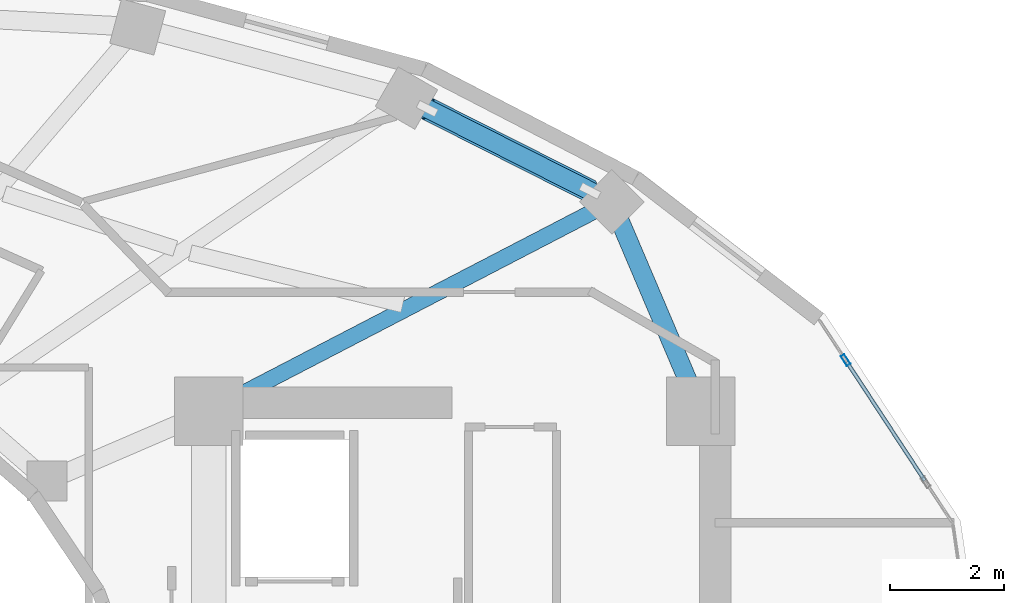
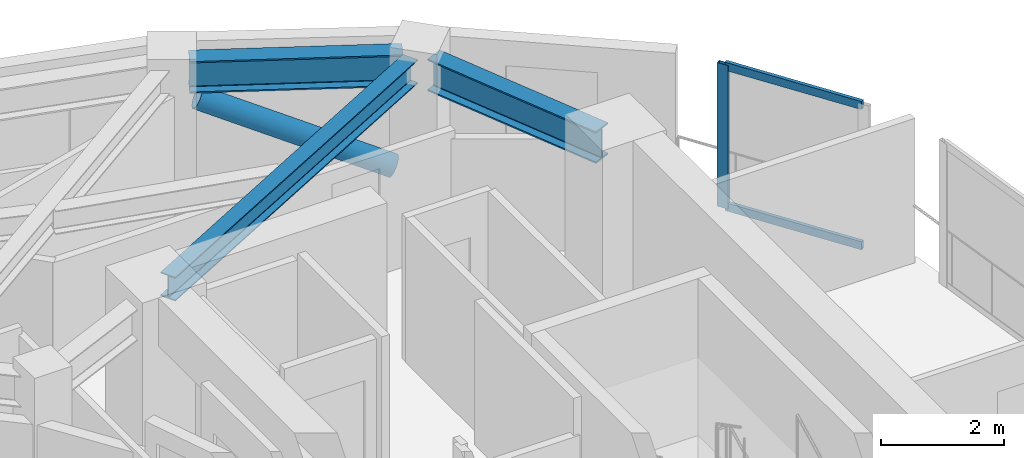
# One storey, part 4 of 12: 4 members, 3 beams, 1 element without a shape of its own.
"""IFC4 building model written with IfcOpenShell, lengths in metres."""

from ifc_helpers import new_model, si_unit, direction, frame, origin, origin_2d, place, context, subcontext, project, spatial, hollow_rectangle, hollow_circle, i_section, extrude, material, layer, layer_set, material_profile, profile_set, type_object, element, aggregate, save


model = new_model("IFC4")

# Units and contexts
model_context = context("Model", 3, precision=1e-05, world=origin(), true_north=direction((0.0, 1.0)))
body_context = subcontext(model_context, "Body", "Model", "MODEL_VIEW")
ifc_project = project(units=[si_unit("LENGTHUNIT", "METRE"), si_unit("AREAUNIT", "SQUARE_METRE"), si_unit("VOLUMEUNIT", "CUBIC_METRE"), si_unit("PLANEANGLEUNIT", "RADIAN"), si_unit("MASSUNIT", "GRAM", prefix="KILO")], contexts=[model_context])

# Site, building, storey
site_placement = place(None, origin())
site = spatial("IfcSite", under=ifc_project, at=site_placement, CompositionType="ELEMENT")
building_placement = place(site_placement, origin())
building = spatial("IfcBuilding", under=site, at=building_placement, Name="Solvane Sanctuary Tower", CompositionType="ELEMENT")
storey_placement = place(building_placement, frame((0.0, 0.0, 210.89990234375)))
storey = spatial("IfcBuildingStorey", under=building, at=storey_placement, Name="L64", CompositionType="ELEMENT", Elevation=210.89990234375)

# Beams
ifc_material_1 = material(Name="Steel ASTM A992 Grade 50", Category="steel")
ifc_material_profile_1 = material_profile(ifc_material_1, i_section(OverallWidth=0.282958984375, OverallDepth=0.471923828125, WebThickness=0.013671875, FlangeThickness=0.022216796875, FilletRadius=0.013916015625, at=origin_2d()), Name="W18X97")
ifc_profile_set_1 = profile_set([ifc_material_profile_1], Name="Steel ASTM A992 Grade 50")
beam_type_1 = type_object("IfcBeamType", Name="Beam B-RAD-Z4 W18X97", PredefinedType="JOIST", material=ifc_profile_set_1)
beam_1_placement = place(storey_placement, frame((40.41943359375, 30.365966796875, 2.64208984375), z_axis=(0.887553429209, 0.460704797348, 0.0), x_axis=(-0.460704797348, 0.887553429209, 0.0)))
element("IfcBeam", 1, at=beam_1_placement, inside=storey, type_object=beam_type_1, Name="L64 Radial Composite Floor Beam 01", PredefinedType="JOIST", context=body_context, shape_type="SweptSolid", body=[
    extrude(i_section(OverallWidth=0.282958984375, OverallDepth=0.471923828125, WebThickness=0.013671875, FlangeThickness=0.022216796875, FilletRadius=0.013916015625, at=origin_2d()), origin(), (0.0, 0.0, 1.0), 7.297607421875),
])
ifc_material_profile_2 = material_profile(ifc_material_1, i_section(OverallWidth=0.327880859375, OverallDepth=0.6279296875, WebThickness=0.0166015625, FlangeThickness=0.027587890625, FilletRadius=0.01611328125, at=origin_2d()), Name="W24X146")
ifc_profile_set_2 = profile_set([ifc_material_profile_2], Name="Steel ASTM A992 Grade 50")
beam_type_2 = type_object("IfcBeamType", Name="Beam B-SPAND-Z3 W24X146", PredefinedType="SPANDREL", material=ifc_profile_set_2)
beam_2_placement = place(storey_placement, frame((43.804931640625, 35.54638671875, 2.564208984375), z_axis=(0.892344822899, -0.451354314308, 0.0), x_axis=(0.451354314308, 0.892344822899, 0.0)))
element("IfcBeam", 2, at=beam_2_placement, inside=storey, type_object=beam_type_2, Name="L64 Perimeter Spandrel Beam TC02-TC01", PredefinedType="SPANDREL", context=body_context, shape_type="SweptSolid", body=[
    extrude(i_section(OverallWidth=0.327880859375, OverallDepth=0.6279296875, WebThickness=0.0166015625, FlangeThickness=0.027587890625, FilletRadius=0.01611328125, at=origin_2d()), origin(), (0.0, 0.0, 1.0), 3.462890625),
])
beam_3_placement = place(storey_placement, frame((47.25439453125, 33.599365234375, 2.564208984375), z_axis=(0.391328410333, -0.920251093597, 0.0), x_axis=(0.920251093597, 0.391328410333, 0.0)))
element("IfcBeam", 3, at=beam_3_placement, inside=storey, type_object=beam_type_2, Name="L64 Perimeter Spandrel Beam TC01-CE3", PredefinedType="SPANDREL", context=body_context, shape_type="SweptSolid", body=[
    extrude(i_section(OverallWidth=0.327880859375, OverallDepth=0.6279296875, WebThickness=0.0166015625, FlangeThickness=0.027587890625, FilletRadius=0.01611328125, at=origin_2d()), origin(), (0.0, 0.0, 1.0), 3.413818359375),
])

# Curtain wall, members
ifc_material_2 = material(Name="Anodised Aluminium 6063-T6", Category="aluminium")
ifc_layer = layer(ifc_material_2, 0.2099609375, Name="Anodised Aluminium 6063-T6")
ifc_layer_set = layer_set([ifc_layer], Name="Anodised Aluminium 6063-T6")
curtain_wall_type = type_object("IfcCurtainWallType", Name="Curtain Wall CW-PORTAL", PredefinedType="NOTDEFINED", material=ifc_layer_set)
curtain_wall_placement = place(storey_placement, origin())
curtain_wall = element("IfcCurtainWall", 4, at=curtain_wall_placement, inside=storey, type_object=curtain_wall_type, Name="L64 CW-PORTAL Facade Run 01", PredefinedType="NOTDEFINED")
ifc_material_profile_3 = material_profile(ifc_material_2, hollow_rectangle(XDim=0.074951171875, YDim=0.199951171875, WallThickness=0.00390625, at=origin_2d()), Name="ALU200X75X4")
ifc_profile_set_3 = profile_set([ifc_material_profile_3], Name="Anodised Aluminium 6063-T6")
member_type_1 = type_object("IfcMemberType", Name="Member M-CW-MUL-1 ALU200X75X4", PredefinedType="MULLION", material=ifc_profile_set_3)
member_1_placement = place(storey_placement, frame((51.2314453125, 31.09228515625, 0.0), z_axis=(0.0, 0.0, 1.0), x_axis=(-0.83595908826, -0.548791766298, 0.0)))
member_1 = element("IfcMember", 5, at=member_1_placement, type_object=member_type_1, Name="CW-PORTAL mullion 2", PredefinedType="MULLION", context=body_context, shape_type="SweptSolid", body=[
    extrude(hollow_rectangle(XDim=0.074951171875, YDim=0.199951171875, WallThickness=0.00390625, at=origin_2d()), origin(), (0.0, 0.0, 1.0), 2.840087890625),
])
ifc_material_profile_4 = material_profile(ifc_material_2, hollow_rectangle(XDim=0.06494140625, YDim=0.159912109375, WallThickness=0.00341796875, at=origin_2d()), Name="ALU160X65X3.5")
ifc_profile_set_4 = profile_set([ifc_material_profile_4], Name="Anodised Aluminium 6063-T6")
member_type_2 = type_object("IfcMemberType", Name="Member M-CW-TRN-1 ALU160X65X3.5", PredefinedType="USERDEFINED", material=ifc_profile_set_4)
member_2_placement = place(storey_placement, frame((52.613525390625, 28.987060546875, 0.03271484375), z_axis=(-0.5488498942, 0.835920925469, 0.0), x_axis=(-0.835920925469, -0.5488498942, 0.0)))
member_2 = element("IfcMember", 6, at=member_2_placement, type_object=member_type_2, Name="CW-PORTAL transom 1.1", ObjectType="TRANSOM", PredefinedType="USERDEFINED", context=body_context, shape_type="SweptSolid", body=[
    extrude(hollow_rectangle(XDim=0.06494140625, YDim=0.159912109375, WallThickness=0.00341796875, at=origin_2d()), origin(), (0.0, 0.0, 1.0), 2.480712890625),
])
member_3_placement = place(storey_placement, frame((52.613525390625, 28.987060546875, 2.8076171875), z_axis=(-0.5488498942, 0.835920925469, 0.0), x_axis=(-0.835920925469, -0.5488498942, 0.0)))
member_3 = element("IfcMember", 7, at=member_3_placement, type_object=member_type_2, Name="CW-PORTAL transom 1.2", ObjectType="TRANSOM", PredefinedType="USERDEFINED", context=body_context, shape_type="SweptSolid", body=[
    extrude(hollow_rectangle(XDim=0.06494140625, YDim=0.159912109375, WallThickness=0.00341796875, at=origin_2d()), origin(), (0.0, 0.0, 1.0), 2.480712890625),
])
aggregate(curtain_wall, [member_1, member_2, member_3])

# Member
ifc_material_profile_5 = material_profile(ifc_material_1, hollow_circle(Radius=0.202880859375, WallThickness=0.012451171875, at=origin_2d()), Name="CHS406X12.5")
ifc_profile_set_5 = profile_set([ifc_material_profile_5], Name="Steel ASTM A992 Grade 50")
member_type_3 = type_object("IfcMemberType", Name="Member M-TUBE-Z3 CHS406X12.5", PredefinedType="BRACE", material=ifc_profile_set_5)
member_4_placement = place(storey_placement, frame((46.760986328125, 34.051025390625, 0.580078125), z_axis=(-0.809168494131, 0.409313786141, 0.4215549461), x_axis=(-0.451381225256, -0.892331210642, 0.0)))
element("IfcMember", 8, at=member_4_placement, inside=storey, type_object=member_type_3, Name="L64 Perimeter Braced-Tube Diagonal NE", PredefinedType="BRACE", context=body_context, shape_type="SweptSolid", body=[
    extrude(hollow_circle(Radius=0.202880859375, WallThickness=0.012451171875, at=origin_2d()), origin(), (0.0, 0.0, 1.0), 3.51025390625),
])

save(model, "model.ifc")
